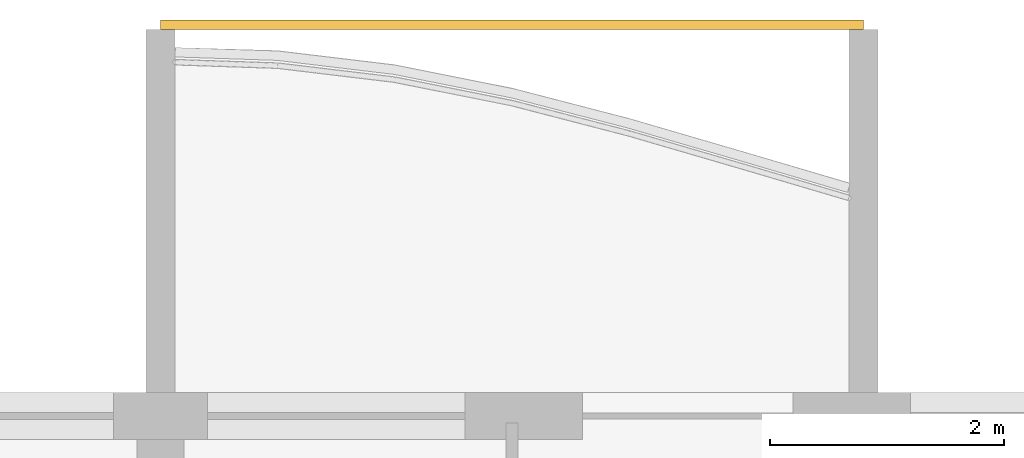
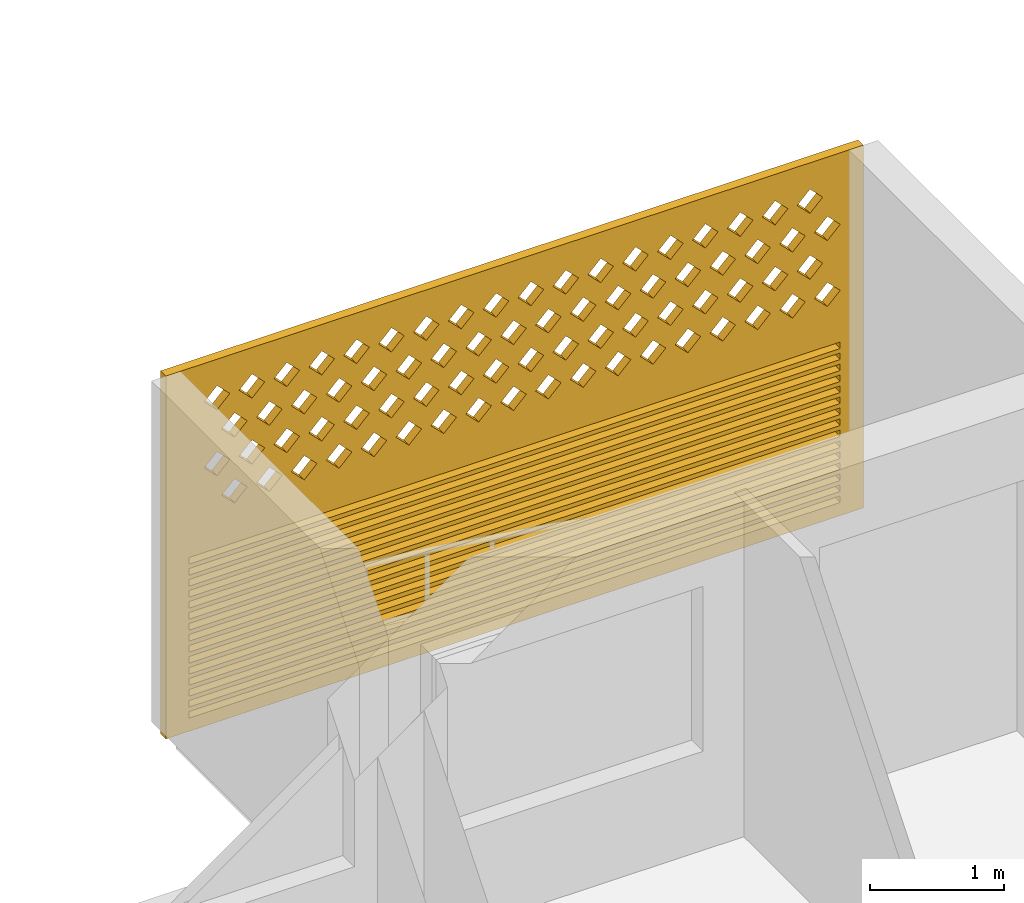
# One storey, part 29 of 40: 1 covering.
"""IFC4 building model written with IfcOpenShell, lengths in metres."""

from ifc_helpers import new_model, si_unit, direction, frame, origin, place, context, subcontext, project, spatial, polyline, outline, extrude, source, transform, mapped, material, material_profile, profile_set, type_object, element, save


model = new_model("IFC4")

# Units and contexts
model_context = context("Model", 3, precision=1e-05, world=origin(), true_north=direction((0.0, 1.0)))
body_context = subcontext(model_context, "Body", "Model", "MODEL_VIEW")
ifc_project = project(units=[si_unit("LENGTHUNIT", "METRE"), si_unit("AREAUNIT", "SQUARE_METRE"), si_unit("VOLUMEUNIT", "CUBIC_METRE"), si_unit("PLANEANGLEUNIT", "RADIAN"), si_unit("MASSUNIT", "GRAM", prefix="KILO")], contexts=[model_context])

# Site, building, storey
site_placement = place(None, origin())
site = spatial("IfcSite", under=ifc_project, at=site_placement, CompositionType="ELEMENT")
building_placement = place(site_placement, origin())
building = spatial("IfcBuilding", under=site, at=building_placement, Name="Poui Terraces", CompositionType="ELEMENT")
storey_placement = place(building_placement, frame((0.0, 0.0, 36.60009765625)))
storey = spatial("IfcBuildingStorey", under=building, at=storey_placement, Name="L09", CompositionType="ELEMENT", Elevation=36.60009765625)

# Covering
ifc_material = material(Name="Terracotta screen", Category="masonry")
ifc_material_profile = material_profile(ifc_material, outline(polyline([(-3.0, -1.64990234375), (3.0, -1.64990234375), (3.0, 1.64990234375), (-3.0, 1.64990234375), (-3.0, -1.64990234375)]), holes=[polyline([(-2.800048828125, 0.39990234375), (-2.68994140625, 0.2900390625), (-2.580078125, 0.39990234375), (-2.68994140625, 0.510009765625), (-2.800048828125, 0.39990234375)]), polyline([(-2.5, 0.39990234375), (-2.389892578125, 0.2900390625), (-2.280029296875, 0.39990234375), (-2.389892578125, 0.510009765625), (-2.5, 0.39990234375)]), polyline([(-2.199951171875, 0.39990234375), (-2.090087890625, 0.2900390625), (-1.97998046875, 0.39990234375), (-2.090087890625, 0.510009765625), (-2.199951171875, 0.39990234375)]), polyline([(-1.89990234375, 0.39990234375), (-1.7900390625, 0.2900390625), (-1.679931640625, 0.39990234375), (-1.7900390625, 0.510009765625), (-1.89990234375, 0.39990234375)]), polyline([(-1.60009765625, 0.39990234375), (-1.489990234375, 0.2900390625), (-1.3798828125, 0.39990234375), (-1.489990234375, 0.510009765625), (-1.60009765625, 0.39990234375)]), polyline([(-1.300048828125, 0.39990234375), (-1.18994140625, 0.2900390625), (-1.080078125, 0.39990234375), (-1.18994140625, 0.510009765625), (-1.300048828125, 0.39990234375)]), polyline([(-1.0, 0.39990234375), (-0.889892578125, 0.2900390625), (-0.780029296875, 0.39990234375), (-0.889892578125, 0.510009765625), (-1.0, 0.39990234375)]), polyline([(-0.699951171875, 0.39990234375), (-0.590087890625, 0.2900390625), (-0.47998046875, 0.39990234375), (-0.590087890625, 0.510009765625), (-0.699951171875, 0.39990234375)]), polyline([(-0.39990234375, 0.39990234375), (-0.2900390625, 0.2900390625), (-0.179931640625, 0.39990234375), (-0.2900390625, 0.510009765625), (-0.39990234375, 0.39990234375)]), polyline([(-0.10009765625, 0.39990234375), (0.010009765625, 0.2900390625), (0.1201171875, 0.39990234375), (0.010009765625, 0.510009765625), (-0.10009765625, 0.39990234375)]), polyline([(0.199951171875, 0.39990234375), (0.31005859375, 0.2900390625), (0.419921875, 0.39990234375), (0.31005859375, 0.510009765625), (0.199951171875, 0.39990234375)]), polyline([(0.5, 0.39990234375), (0.610107421875, 0.2900390625), (0.719970703125, 0.39990234375), (0.610107421875, 0.510009765625), (0.5, 0.39990234375)]), polyline([(0.800048828125, 0.39990234375), (0.909912109375, 0.2900390625), (1.02001953125, 0.39990234375), (0.909912109375, 0.510009765625), (0.800048828125, 0.39990234375)]), polyline([(1.10009765625, 0.39990234375), (1.2099609375, 0.2900390625), (1.320068359375, 0.39990234375), (1.2099609375, 0.510009765625), (1.10009765625, 0.39990234375)]), polyline([(1.39990234375, 0.39990234375), (1.510009765625, 0.2900390625), (1.6201171875, 0.39990234375), (1.510009765625, 0.510009765625), (1.39990234375, 0.39990234375)]), polyline([(1.699951171875, 0.39990234375), (1.81005859375, 0.2900390625), (1.919921875, 0.39990234375), (1.81005859375, 0.510009765625), (1.699951171875, 0.39990234375)]), polyline([(2.0, 0.39990234375), (2.110107421875, 0.2900390625), (2.219970703125, 0.39990234375), (2.110107421875, 0.510009765625), (2.0, 0.39990234375)]), polyline([(2.300048828125, 0.39990234375), (2.409912109375, 0.2900390625), (2.52001953125, 0.39990234375), (2.409912109375, 0.510009765625), (2.300048828125, 0.39990234375)]), polyline([(-2.64990234375, 0.699951171875), (-2.5400390625, 0.590087890625), (-2.429931640625, 0.699951171875), (-2.5400390625, 0.81005859375), (-2.64990234375, 0.699951171875)]), polyline([(-2.35009765625, 0.699951171875), (-2.239990234375, 0.590087890625), (-2.1298828125, 0.699951171875), (-2.239990234375, 0.81005859375), (-2.35009765625, 0.699951171875)]), polyline([(-2.050048828125, 0.699951171875), (-1.93994140625, 0.590087890625), (-1.830078125, 0.699951171875), (-1.93994140625, 0.81005859375), (-2.050048828125, 0.699951171875)]), polyline([(-1.75, 0.699951171875), (-1.639892578125, 0.590087890625), (-1.530029296875, 0.699951171875), (-1.639892578125, 0.81005859375), (-1.75, 0.699951171875)]), polyline([(-1.449951171875, 0.699951171875), (-1.340087890625, 0.590087890625), (-1.22998046875, 0.699951171875), (-1.340087890625, 0.81005859375), (-1.449951171875, 0.699951171875)]), polyline([(-1.14990234375, 0.699951171875), (-1.0400390625, 0.590087890625), (-0.929931640625, 0.699951171875), (-1.0400390625, 0.81005859375), (-1.14990234375, 0.699951171875)]), polyline([(-0.85009765625, 0.699951171875), (-0.739990234375, 0.590087890625), (-0.6298828125, 0.699951171875), (-0.739990234375, 0.81005859375), (-0.85009765625, 0.699951171875)]), polyline([(-0.550048828125, 0.699951171875), (-0.43994140625, 0.590087890625), (-0.330078125, 0.699951171875), (-0.43994140625, 0.81005859375), (-0.550048828125, 0.699951171875)]), polyline([(-0.25, 0.699951171875), (-0.139892578125, 0.590087890625), (-0.030029296875, 0.699951171875), (-0.139892578125, 0.81005859375), (-0.25, 0.699951171875)]), polyline([(0.050048828125, 0.699951171875), (0.159912109375, 0.590087890625), (0.27001953125, 0.699951171875), (0.159912109375, 0.81005859375), (0.050048828125, 0.699951171875)]), polyline([(0.35009765625, 0.699951171875), (0.4599609375, 0.590087890625), (0.570068359375, 0.699951171875), (0.4599609375, 0.81005859375), (0.35009765625, 0.699951171875)]), polyline([(0.64990234375, 0.699951171875), (0.760009765625, 0.590087890625), (0.8701171875, 0.699951171875), (0.760009765625, 0.81005859375), (0.64990234375, 0.699951171875)]), polyline([(0.949951171875, 0.699951171875), (1.06005859375, 0.590087890625), (1.169921875, 0.699951171875), (1.06005859375, 0.81005859375), (0.949951171875, 0.699951171875)]), polyline([(1.25, 0.699951171875), (1.360107421875, 0.590087890625), (1.469970703125, 0.699951171875), (1.360107421875, 0.81005859375), (1.25, 0.699951171875)]), polyline([(1.550048828125, 0.699951171875), (1.659912109375, 0.590087890625), (1.77001953125, 0.699951171875), (1.659912109375, 0.81005859375), (1.550048828125, 0.699951171875)]), polyline([(1.85009765625, 0.699951171875), (1.9599609375, 0.590087890625), (2.070068359375, 0.699951171875), (1.9599609375, 0.81005859375), (1.85009765625, 0.699951171875)]), polyline([(2.14990234375, 0.699951171875), (2.260009765625, 0.590087890625), (2.3701171875, 0.699951171875), (2.260009765625, 0.81005859375), (2.14990234375, 0.699951171875)]), polyline([(2.449951171875, 0.699951171875), (2.56005859375, 0.590087890625), (2.669921875, 0.699951171875), (2.56005859375, 0.81005859375), (2.449951171875, 0.699951171875)]), polyline([(-2.800048828125, 1.0), (-2.68994140625, 0.889892578125), (-2.580078125, 1.0), (-2.68994140625, 1.110107421875), (-2.800048828125, 1.0)]), polyline([(-2.5, 1.0), (-2.389892578125, 0.889892578125), (-2.280029296875, 1.0), (-2.389892578125, 1.110107421875), (-2.5, 1.0)]), polyline([(-2.199951171875, 1.0), (-2.090087890625, 0.889892578125), (-1.97998046875, 1.0), (-2.090087890625, 1.110107421875), (-2.199951171875, 1.0)]), polyline([(-1.89990234375, 1.0), (-1.7900390625, 0.889892578125), (-1.679931640625, 1.0), (-1.7900390625, 1.110107421875), (-1.89990234375, 1.0)]), polyline([(-1.60009765625, 1.0), (-1.489990234375, 0.889892578125), (-1.3798828125, 1.0), (-1.489990234375, 1.110107421875), (-1.60009765625, 1.0)]), polyline([(-1.300048828125, 1.0), (-1.18994140625, 0.889892578125), (-1.080078125, 1.0), (-1.18994140625, 1.110107421875), (-1.300048828125, 1.0)]), polyline([(-1.0, 1.0), (-0.889892578125, 0.889892578125), (-0.780029296875, 1.0), (-0.889892578125, 1.110107421875), (-1.0, 1.0)]), polyline([(-0.699951171875, 1.0), (-0.590087890625, 0.889892578125), (-0.47998046875, 1.0), (-0.590087890625, 1.110107421875), (-0.699951171875, 1.0)]), polyline([(-0.39990234375, 1.0), (-0.2900390625, 0.889892578125), (-0.179931640625, 1.0), (-0.2900390625, 1.110107421875), (-0.39990234375, 1.0)]), polyline([(-0.10009765625, 1.0), (0.010009765625, 0.889892578125), (0.1201171875, 1.0), (0.010009765625, 1.110107421875), (-0.10009765625, 1.0)]), polyline([(0.199951171875, 1.0), (0.31005859375, 0.889892578125), (0.419921875, 1.0), (0.31005859375, 1.110107421875), (0.199951171875, 1.0)]), polyline([(0.5, 1.0), (0.610107421875, 0.889892578125), (0.719970703125, 1.0), (0.610107421875, 1.110107421875), (0.5, 1.0)]), polyline([(0.800048828125, 1.0), (0.909912109375, 0.889892578125), (1.02001953125, 1.0), (0.909912109375, 1.110107421875), (0.800048828125, 1.0)]), polyline([(1.10009765625, 1.0), (1.2099609375, 0.889892578125), (1.320068359375, 1.0), (1.2099609375, 1.110107421875), (1.10009765625, 1.0)]), polyline([(1.39990234375, 1.0), (1.510009765625, 0.889892578125), (1.6201171875, 1.0), (1.510009765625, 1.110107421875), (1.39990234375, 1.0)]), polyline([(1.699951171875, 1.0), (1.81005859375, 0.889892578125), (1.919921875, 1.0), (1.81005859375, 1.110107421875), (1.699951171875, 1.0)]), polyline([(2.0, 1.0), (2.110107421875, 0.889892578125), (2.219970703125, 1.0), (2.110107421875, 1.110107421875), (2.0, 1.0)]), polyline([(2.300048828125, 1.0), (2.409912109375, 0.889892578125), (2.52001953125, 1.0), (2.409912109375, 1.110107421875), (2.300048828125, 1.0)]), polyline([(-2.64990234375, 1.300048828125), (-2.5400390625, 1.18994140625), (-2.429931640625, 1.300048828125), (-2.5400390625, 1.409912109375), (-2.64990234375, 1.300048828125)]), polyline([(-2.35009765625, 1.300048828125), (-2.239990234375, 1.18994140625), (-2.1298828125, 1.300048828125), (-2.239990234375, 1.409912109375), (-2.35009765625, 1.300048828125)]), polyline([(-2.050048828125, 1.300048828125), (-1.93994140625, 1.18994140625), (-1.830078125, 1.300048828125), (-1.93994140625, 1.409912109375), (-2.050048828125, 1.300048828125)]), polyline([(-1.75, 1.300048828125), (-1.639892578125, 1.18994140625), (-1.530029296875, 1.300048828125), (-1.639892578125, 1.409912109375), (-1.75, 1.300048828125)]), polyline([(-1.449951171875, 1.300048828125), (-1.340087890625, 1.18994140625), (-1.22998046875, 1.300048828125), (-1.340087890625, 1.409912109375), (-1.449951171875, 1.300048828125)]), polyline([(-1.14990234375, 1.300048828125), (-1.0400390625, 1.18994140625), (-0.929931640625, 1.300048828125), (-1.0400390625, 1.409912109375), (-1.14990234375, 1.300048828125)]), polyline([(-0.85009765625, 1.300048828125), (-0.739990234375, 1.18994140625), (-0.6298828125, 1.300048828125), (-0.739990234375, 1.409912109375), (-0.85009765625, 1.300048828125)]), polyline([(-0.550048828125, 1.300048828125), (-0.43994140625, 1.18994140625), (-0.330078125, 1.300048828125), (-0.43994140625, 1.409912109375), (-0.550048828125, 1.300048828125)]), polyline([(-0.25, 1.300048828125), (-0.139892578125, 1.18994140625), (-0.030029296875, 1.300048828125), (-0.139892578125, 1.409912109375), (-0.25, 1.300048828125)]), polyline([(0.050048828125, 1.300048828125), (0.159912109375, 1.18994140625), (0.27001953125, 1.300048828125), (0.159912109375, 1.409912109375), (0.050048828125, 1.300048828125)]), polyline([(0.35009765625, 1.300048828125), (0.4599609375, 1.18994140625), (0.570068359375, 1.300048828125), (0.4599609375, 1.409912109375), (0.35009765625, 1.300048828125)]), polyline([(0.64990234375, 1.300048828125), (0.760009765625, 1.18994140625), (0.8701171875, 1.300048828125), (0.760009765625, 1.409912109375), (0.64990234375, 1.300048828125)]), polyline([(0.949951171875, 1.300048828125), (1.06005859375, 1.18994140625), (1.169921875, 1.300048828125), (1.06005859375, 1.409912109375), (0.949951171875, 1.300048828125)]), polyline([(1.25, 1.300048828125), (1.360107421875, 1.18994140625), (1.469970703125, 1.300048828125), (1.360107421875, 1.409912109375), (1.25, 1.300048828125)]), polyline([(1.550048828125, 1.300048828125), (1.659912109375, 1.18994140625), (1.77001953125, 1.300048828125), (1.659912109375, 1.409912109375), (1.550048828125, 1.300048828125)]), polyline([(1.85009765625, 1.300048828125), (1.9599609375, 1.18994140625), (2.070068359375, 1.300048828125), (1.9599609375, 1.409912109375), (1.85009765625, 1.300048828125)]), polyline([(2.14990234375, 1.300048828125), (2.260009765625, 1.18994140625), (2.3701171875, 1.300048828125), (2.260009765625, 1.409912109375), (2.14990234375, 1.300048828125)]), polyline([(2.449951171875, 1.300048828125), (2.56005859375, 1.18994140625), (2.669921875, 1.300048828125), (2.56005859375, 1.409912109375), (2.449951171875, 1.300048828125)]), polyline([(-2.800048828125, -1.530029296875), (2.800048828125, -1.530029296875), (2.800048828125, -1.469970703125), (-2.800048828125, -1.469970703125), (-2.800048828125, -1.530029296875)]), polyline([(-2.800048828125, -1.429931640625), (2.800048828125, -1.429931640625), (2.800048828125, -1.3701171875), (-2.800048828125, -1.3701171875), (-2.800048828125, -1.429931640625)]), polyline([(-2.800048828125, -1.330078125), (2.800048828125, -1.330078125), (2.800048828125, -1.27001953125), (-2.800048828125, -1.27001953125), (-2.800048828125, -1.330078125)]), polyline([(-2.800048828125, -1.22998046875), (2.800048828125, -1.22998046875), (2.800048828125, -1.169921875), (-2.800048828125, -1.169921875), (-2.800048828125, -1.22998046875)]), polyline([(-2.800048828125, -1.1298828125), (2.800048828125, -1.1298828125), (2.800048828125, -1.070068359375), (-2.800048828125, -1.070068359375), (-2.800048828125, -1.1298828125)]), polyline([(-2.800048828125, -1.030029296875), (2.800048828125, -1.030029296875), (2.800048828125, -0.969970703125), (-2.800048828125, -0.969970703125), (-2.800048828125, -1.030029296875)]), polyline([(-2.800048828125, -0.929931640625), (2.800048828125, -0.929931640625), (2.800048828125, -0.8701171875), (-2.800048828125, -0.8701171875), (-2.800048828125, -0.929931640625)]), polyline([(-2.800048828125, -0.830078125), (2.800048828125, -0.830078125), (2.800048828125, -0.77001953125), (-2.800048828125, -0.77001953125), (-2.800048828125, -0.830078125)]), polyline([(-2.800048828125, -0.72998046875), (2.800048828125, -0.72998046875), (2.800048828125, -0.669921875), (-2.800048828125, -0.669921875), (-2.800048828125, -0.72998046875)]), polyline([(-2.800048828125, -0.6298828125), (2.800048828125, -0.6298828125), (2.800048828125, -0.570068359375), (-2.800048828125, -0.570068359375), (-2.800048828125, -0.6298828125)]), polyline([(-2.800048828125, -0.530029296875), (2.800048828125, -0.530029296875), (2.800048828125, -0.469970703125), (-2.800048828125, -0.469970703125), (-2.800048828125, -0.530029296875)]), polyline([(-2.800048828125, -0.429931640625), (2.800048828125, -0.429931640625), (2.800048828125, -0.3701171875), (-2.800048828125, -0.3701171875), (-2.800048828125, -0.429931640625)]), polyline([(-2.800048828125, -0.330078125), (2.800048828125, -0.330078125), (2.800048828125, -0.27001953125), (-2.800048828125, -0.27001953125), (-2.800048828125, -0.330078125)]), polyline([(-2.800048828125, -0.22998046875), (2.800048828125, -0.22998046875), (2.800048828125, -0.169921875), (-2.800048828125, -0.169921875), (-2.800048828125, -0.22998046875)]), polyline([(-2.800048828125, -0.1298828125), (2.800048828125, -0.1298828125), (2.800048828125, -0.070068359375), (-2.800048828125, -0.070068359375), (-2.800048828125, -0.1298828125)])]), Name="TERRACOTTA SCREEN AND JALOUSIE LOUVRE 6000X3300")
ifc_profile_set = profile_set([ifc_material_profile], Name="Terracotta screen")
covering_type = type_object("IfcCoveringType", Name="TERRACOTTA SCREEN AND JALOUSIE LOUVRE 6000X3300", PredefinedType="CLADDING", material=ifc_profile_set)
shared_shape = source(origin(), body_context, "Body", "SweptSolid", [
    extrude(outline(polyline([(-3.0, -1.64990234375), (3.0, -1.64990234375), (3.0, 1.64990234375), (-3.0, 1.64990234375), (-3.0, -1.64990234375)]), holes=[polyline([(-2.800048828125, 0.39990234375), (-2.68994140625, 0.2900390625), (-2.580078125, 0.39990234375), (-2.68994140625, 0.510009765625), (-2.800048828125, 0.39990234375)]), polyline([(-2.5, 0.39990234375), (-2.389892578125, 0.2900390625), (-2.280029296875, 0.39990234375), (-2.389892578125, 0.510009765625), (-2.5, 0.39990234375)]), polyline([(-2.199951171875, 0.39990234375), (-2.090087890625, 0.2900390625), (-1.97998046875, 0.39990234375), (-2.090087890625, 0.510009765625), (-2.199951171875, 0.39990234375)]), polyline([(-1.89990234375, 0.39990234375), (-1.7900390625, 0.2900390625), (-1.679931640625, 0.39990234375), (-1.7900390625, 0.510009765625), (-1.89990234375, 0.39990234375)]), polyline([(-1.60009765625, 0.39990234375), (-1.489990234375, 0.2900390625), (-1.3798828125, 0.39990234375), (-1.489990234375, 0.510009765625), (-1.60009765625, 0.39990234375)]), polyline([(-1.300048828125, 0.39990234375), (-1.18994140625, 0.2900390625), (-1.080078125, 0.39990234375), (-1.18994140625, 0.510009765625), (-1.300048828125, 0.39990234375)]), polyline([(-1.0, 0.39990234375), (-0.889892578125, 0.2900390625), (-0.780029296875, 0.39990234375), (-0.889892578125, 0.510009765625), (-1.0, 0.39990234375)]), polyline([(-0.699951171875, 0.39990234375), (-0.590087890625, 0.2900390625), (-0.47998046875, 0.39990234375), (-0.590087890625, 0.510009765625), (-0.699951171875, 0.39990234375)]), polyline([(-0.39990234375, 0.39990234375), (-0.2900390625, 0.2900390625), (-0.179931640625, 0.39990234375), (-0.2900390625, 0.510009765625), (-0.39990234375, 0.39990234375)]), polyline([(-0.10009765625, 0.39990234375), (0.010009765625, 0.2900390625), (0.1201171875, 0.39990234375), (0.010009765625, 0.510009765625), (-0.10009765625, 0.39990234375)]), polyline([(0.199951171875, 0.39990234375), (0.31005859375, 0.2900390625), (0.419921875, 0.39990234375), (0.31005859375, 0.510009765625), (0.199951171875, 0.39990234375)]), polyline([(0.5, 0.39990234375), (0.610107421875, 0.2900390625), (0.719970703125, 0.39990234375), (0.610107421875, 0.510009765625), (0.5, 0.39990234375)]), polyline([(0.800048828125, 0.39990234375), (0.909912109375, 0.2900390625), (1.02001953125, 0.39990234375), (0.909912109375, 0.510009765625), (0.800048828125, 0.39990234375)]), polyline([(1.10009765625, 0.39990234375), (1.2099609375, 0.2900390625), (1.320068359375, 0.39990234375), (1.2099609375, 0.510009765625), (1.10009765625, 0.39990234375)]), polyline([(1.39990234375, 0.39990234375), (1.510009765625, 0.2900390625), (1.6201171875, 0.39990234375), (1.510009765625, 0.510009765625), (1.39990234375, 0.39990234375)]), polyline([(1.699951171875, 0.39990234375), (1.81005859375, 0.2900390625), (1.919921875, 0.39990234375), (1.81005859375, 0.510009765625), (1.699951171875, 0.39990234375)]), polyline([(2.0, 0.39990234375), (2.110107421875, 0.2900390625), (2.219970703125, 0.39990234375), (2.110107421875, 0.510009765625), (2.0, 0.39990234375)]), polyline([(2.300048828125, 0.39990234375), (2.409912109375, 0.2900390625), (2.52001953125, 0.39990234375), (2.409912109375, 0.510009765625), (2.300048828125, 0.39990234375)]), polyline([(-2.64990234375, 0.699951171875), (-2.5400390625, 0.590087890625), (-2.429931640625, 0.699951171875), (-2.5400390625, 0.81005859375), (-2.64990234375, 0.699951171875)]), polyline([(-2.35009765625, 0.699951171875), (-2.239990234375, 0.590087890625), (-2.1298828125, 0.699951171875), (-2.239990234375, 0.81005859375), (-2.35009765625, 0.699951171875)]), polyline([(-2.050048828125, 0.699951171875), (-1.93994140625, 0.590087890625), (-1.830078125, 0.699951171875), (-1.93994140625, 0.81005859375), (-2.050048828125, 0.699951171875)]), polyline([(-1.75, 0.699951171875), (-1.639892578125, 0.590087890625), (-1.530029296875, 0.699951171875), (-1.639892578125, 0.81005859375), (-1.75, 0.699951171875)]), polyline([(-1.449951171875, 0.699951171875), (-1.340087890625, 0.590087890625), (-1.22998046875, 0.699951171875), (-1.340087890625, 0.81005859375), (-1.449951171875, 0.699951171875)]), polyline([(-1.14990234375, 0.699951171875), (-1.0400390625, 0.590087890625), (-0.929931640625, 0.699951171875), (-1.0400390625, 0.81005859375), (-1.14990234375, 0.699951171875)]), polyline([(-0.85009765625, 0.699951171875), (-0.739990234375, 0.590087890625), (-0.6298828125, 0.699951171875), (-0.739990234375, 0.81005859375), (-0.85009765625, 0.699951171875)]), polyline([(-0.550048828125, 0.699951171875), (-0.43994140625, 0.590087890625), (-0.330078125, 0.699951171875), (-0.43994140625, 0.81005859375), (-0.550048828125, 0.699951171875)]), polyline([(-0.25, 0.699951171875), (-0.139892578125, 0.590087890625), (-0.030029296875, 0.699951171875), (-0.139892578125, 0.81005859375), (-0.25, 0.699951171875)]), polyline([(0.050048828125, 0.699951171875), (0.159912109375, 0.590087890625), (0.27001953125, 0.699951171875), (0.159912109375, 0.81005859375), (0.050048828125, 0.699951171875)]), polyline([(0.35009765625, 0.699951171875), (0.4599609375, 0.590087890625), (0.570068359375, 0.699951171875), (0.4599609375, 0.81005859375), (0.35009765625, 0.699951171875)]), polyline([(0.64990234375, 0.699951171875), (0.760009765625, 0.590087890625), (0.8701171875, 0.699951171875), (0.760009765625, 0.81005859375), (0.64990234375, 0.699951171875)]), polyline([(0.949951171875, 0.699951171875), (1.06005859375, 0.590087890625), (1.169921875, 0.699951171875), (1.06005859375, 0.81005859375), (0.949951171875, 0.699951171875)]), polyline([(1.25, 0.699951171875), (1.360107421875, 0.590087890625), (1.469970703125, 0.699951171875), (1.360107421875, 0.81005859375), (1.25, 0.699951171875)]), polyline([(1.550048828125, 0.699951171875), (1.659912109375, 0.590087890625), (1.77001953125, 0.699951171875), (1.659912109375, 0.81005859375), (1.550048828125, 0.699951171875)]), polyline([(1.85009765625, 0.699951171875), (1.9599609375, 0.590087890625), (2.070068359375, 0.699951171875), (1.9599609375, 0.81005859375), (1.85009765625, 0.699951171875)]), polyline([(2.14990234375, 0.699951171875), (2.260009765625, 0.590087890625), (2.3701171875, 0.699951171875), (2.260009765625, 0.81005859375), (2.14990234375, 0.699951171875)]), polyline([(2.449951171875, 0.699951171875), (2.56005859375, 0.590087890625), (2.669921875, 0.699951171875), (2.56005859375, 0.81005859375), (2.449951171875, 0.699951171875)]), polyline([(-2.800048828125, 1.0), (-2.68994140625, 0.889892578125), (-2.580078125, 1.0), (-2.68994140625, 1.110107421875), (-2.800048828125, 1.0)]), polyline([(-2.5, 1.0), (-2.389892578125, 0.889892578125), (-2.280029296875, 1.0), (-2.389892578125, 1.110107421875), (-2.5, 1.0)]), polyline([(-2.199951171875, 1.0), (-2.090087890625, 0.889892578125), (-1.97998046875, 1.0), (-2.090087890625, 1.110107421875), (-2.199951171875, 1.0)]), polyline([(-1.89990234375, 1.0), (-1.7900390625, 0.889892578125), (-1.679931640625, 1.0), (-1.7900390625, 1.110107421875), (-1.89990234375, 1.0)]), polyline([(-1.60009765625, 1.0), (-1.489990234375, 0.889892578125), (-1.3798828125, 1.0), (-1.489990234375, 1.110107421875), (-1.60009765625, 1.0)]), polyline([(-1.300048828125, 1.0), (-1.18994140625, 0.889892578125), (-1.080078125, 1.0), (-1.18994140625, 1.110107421875), (-1.300048828125, 1.0)]), polyline([(-1.0, 1.0), (-0.889892578125, 0.889892578125), (-0.780029296875, 1.0), (-0.889892578125, 1.110107421875), (-1.0, 1.0)]), polyline([(-0.699951171875, 1.0), (-0.590087890625, 0.889892578125), (-0.47998046875, 1.0), (-0.590087890625, 1.110107421875), (-0.699951171875, 1.0)]), polyline([(-0.39990234375, 1.0), (-0.2900390625, 0.889892578125), (-0.179931640625, 1.0), (-0.2900390625, 1.110107421875), (-0.39990234375, 1.0)]), polyline([(-0.10009765625, 1.0), (0.010009765625, 0.889892578125), (0.1201171875, 1.0), (0.010009765625, 1.110107421875), (-0.10009765625, 1.0)]), polyline([(0.199951171875, 1.0), (0.31005859375, 0.889892578125), (0.419921875, 1.0), (0.31005859375, 1.110107421875), (0.199951171875, 1.0)]), polyline([(0.5, 1.0), (0.610107421875, 0.889892578125), (0.719970703125, 1.0), (0.610107421875, 1.110107421875), (0.5, 1.0)]), polyline([(0.800048828125, 1.0), (0.909912109375, 0.889892578125), (1.02001953125, 1.0), (0.909912109375, 1.110107421875), (0.800048828125, 1.0)]), polyline([(1.10009765625, 1.0), (1.2099609375, 0.889892578125), (1.320068359375, 1.0), (1.2099609375, 1.110107421875), (1.10009765625, 1.0)]), polyline([(1.39990234375, 1.0), (1.510009765625, 0.889892578125), (1.6201171875, 1.0), (1.510009765625, 1.110107421875), (1.39990234375, 1.0)]), polyline([(1.699951171875, 1.0), (1.81005859375, 0.889892578125), (1.919921875, 1.0), (1.81005859375, 1.110107421875), (1.699951171875, 1.0)]), polyline([(2.0, 1.0), (2.110107421875, 0.889892578125), (2.219970703125, 1.0), (2.110107421875, 1.110107421875), (2.0, 1.0)]), polyline([(2.300048828125, 1.0), (2.409912109375, 0.889892578125), (2.52001953125, 1.0), (2.409912109375, 1.110107421875), (2.300048828125, 1.0)]), polyline([(-2.64990234375, 1.300048828125), (-2.5400390625, 1.18994140625), (-2.429931640625, 1.300048828125), (-2.5400390625, 1.409912109375), (-2.64990234375, 1.300048828125)]), polyline([(-2.35009765625, 1.300048828125), (-2.239990234375, 1.18994140625), (-2.1298828125, 1.300048828125), (-2.239990234375, 1.409912109375), (-2.35009765625, 1.300048828125)]), polyline([(-2.050048828125, 1.300048828125), (-1.93994140625, 1.18994140625), (-1.830078125, 1.300048828125), (-1.93994140625, 1.409912109375), (-2.050048828125, 1.300048828125)]), polyline([(-1.75, 1.300048828125), (-1.639892578125, 1.18994140625), (-1.530029296875, 1.300048828125), (-1.639892578125, 1.409912109375), (-1.75, 1.300048828125)]), polyline([(-1.449951171875, 1.300048828125), (-1.340087890625, 1.18994140625), (-1.22998046875, 1.300048828125), (-1.340087890625, 1.409912109375), (-1.449951171875, 1.300048828125)]), polyline([(-1.14990234375, 1.300048828125), (-1.0400390625, 1.18994140625), (-0.929931640625, 1.300048828125), (-1.0400390625, 1.409912109375), (-1.14990234375, 1.300048828125)]), polyline([(-0.85009765625, 1.300048828125), (-0.739990234375, 1.18994140625), (-0.6298828125, 1.300048828125), (-0.739990234375, 1.409912109375), (-0.85009765625, 1.300048828125)]), polyline([(-0.550048828125, 1.300048828125), (-0.43994140625, 1.18994140625), (-0.330078125, 1.300048828125), (-0.43994140625, 1.409912109375), (-0.550048828125, 1.300048828125)]), polyline([(-0.25, 1.300048828125), (-0.139892578125, 1.18994140625), (-0.030029296875, 1.300048828125), (-0.139892578125, 1.409912109375), (-0.25, 1.300048828125)]), polyline([(0.050048828125, 1.300048828125), (0.159912109375, 1.18994140625), (0.27001953125, 1.300048828125), (0.159912109375, 1.409912109375), (0.050048828125, 1.300048828125)]), polyline([(0.35009765625, 1.300048828125), (0.4599609375, 1.18994140625), (0.570068359375, 1.300048828125), (0.4599609375, 1.409912109375), (0.35009765625, 1.300048828125)]), polyline([(0.64990234375, 1.300048828125), (0.760009765625, 1.18994140625), (0.8701171875, 1.300048828125), (0.760009765625, 1.409912109375), (0.64990234375, 1.300048828125)]), polyline([(0.949951171875, 1.300048828125), (1.06005859375, 1.18994140625), (1.169921875, 1.300048828125), (1.06005859375, 1.409912109375), (0.949951171875, 1.300048828125)]), polyline([(1.25, 1.300048828125), (1.360107421875, 1.18994140625), (1.469970703125, 1.300048828125), (1.360107421875, 1.409912109375), (1.25, 1.300048828125)]), polyline([(1.550048828125, 1.300048828125), (1.659912109375, 1.18994140625), (1.77001953125, 1.300048828125), (1.659912109375, 1.409912109375), (1.550048828125, 1.300048828125)]), polyline([(1.85009765625, 1.300048828125), (1.9599609375, 1.18994140625), (2.070068359375, 1.300048828125), (1.9599609375, 1.409912109375), (1.85009765625, 1.300048828125)]), polyline([(2.14990234375, 1.300048828125), (2.260009765625, 1.18994140625), (2.3701171875, 1.300048828125), (2.260009765625, 1.409912109375), (2.14990234375, 1.300048828125)]), polyline([(2.449951171875, 1.300048828125), (2.56005859375, 1.18994140625), (2.669921875, 1.300048828125), (2.56005859375, 1.409912109375), (2.449951171875, 1.300048828125)]), polyline([(-2.800048828125, -1.530029296875), (2.800048828125, -1.530029296875), (2.800048828125, -1.469970703125), (-2.800048828125, -1.469970703125), (-2.800048828125, -1.530029296875)]), polyline([(-2.800048828125, -1.429931640625), (2.800048828125, -1.429931640625), (2.800048828125, -1.3701171875), (-2.800048828125, -1.3701171875), (-2.800048828125, -1.429931640625)]), polyline([(-2.800048828125, -1.330078125), (2.800048828125, -1.330078125), (2.800048828125, -1.27001953125), (-2.800048828125, -1.27001953125), (-2.800048828125, -1.330078125)]), polyline([(-2.800048828125, -1.22998046875), (2.800048828125, -1.22998046875), (2.800048828125, -1.169921875), (-2.800048828125, -1.169921875), (-2.800048828125, -1.22998046875)]), polyline([(-2.800048828125, -1.1298828125), (2.800048828125, -1.1298828125), (2.800048828125, -1.070068359375), (-2.800048828125, -1.070068359375), (-2.800048828125, -1.1298828125)]), polyline([(-2.800048828125, -1.030029296875), (2.800048828125, -1.030029296875), (2.800048828125, -0.969970703125), (-2.800048828125, -0.969970703125), (-2.800048828125, -1.030029296875)]), polyline([(-2.800048828125, -0.929931640625), (2.800048828125, -0.929931640625), (2.800048828125, -0.8701171875), (-2.800048828125, -0.8701171875), (-2.800048828125, -0.929931640625)]), polyline([(-2.800048828125, -0.830078125), (2.800048828125, -0.830078125), (2.800048828125, -0.77001953125), (-2.800048828125, -0.77001953125), (-2.800048828125, -0.830078125)]), polyline([(-2.800048828125, -0.72998046875), (2.800048828125, -0.72998046875), (2.800048828125, -0.669921875), (-2.800048828125, -0.669921875), (-2.800048828125, -0.72998046875)]), polyline([(-2.800048828125, -0.6298828125), (2.800048828125, -0.6298828125), (2.800048828125, -0.570068359375), (-2.800048828125, -0.570068359375), (-2.800048828125, -0.6298828125)]), polyline([(-2.800048828125, -0.530029296875), (2.800048828125, -0.530029296875), (2.800048828125, -0.469970703125), (-2.800048828125, -0.469970703125), (-2.800048828125, -0.530029296875)]), polyline([(-2.800048828125, -0.429931640625), (2.800048828125, -0.429931640625), (2.800048828125, -0.3701171875), (-2.800048828125, -0.3701171875), (-2.800048828125, -0.429931640625)]), polyline([(-2.800048828125, -0.330078125), (2.800048828125, -0.330078125), (2.800048828125, -0.27001953125), (-2.800048828125, -0.27001953125), (-2.800048828125, -0.330078125)]), polyline([(-2.800048828125, -0.22998046875), (2.800048828125, -0.22998046875), (2.800048828125, -0.169921875), (-2.800048828125, -0.169921875), (-2.800048828125, -0.22998046875)]), polyline([(-2.800048828125, -0.1298828125), (2.800048828125, -0.1298828125), (2.800048828125, -0.070068359375), (-2.800048828125, -0.070068359375), (-2.800048828125, -0.1298828125)])]), origin(), (0.0, 0.0, 1.0), 0.079833984375),
])
covering_placement = place(storey_placement, frame((51.0, 48.10009765625, 1.449951171875), z_axis=(0.0, 1.0, 0.0), x_axis=(-1.0, 0.0, 0.0)))
element("IfcCovering", 1, at=covering_placement, inside=storey, type_object=covering_type, Name="SOLAR SCREEN AND JALOUSIE LOUVRE", PredefinedType="CLADDING", context=body_context, shape_type="MappedRepresentation", body=[
    mapped(shared_shape, transform((0.0, 0.0, 0.0))),
])

save(model, "model.ifc")
